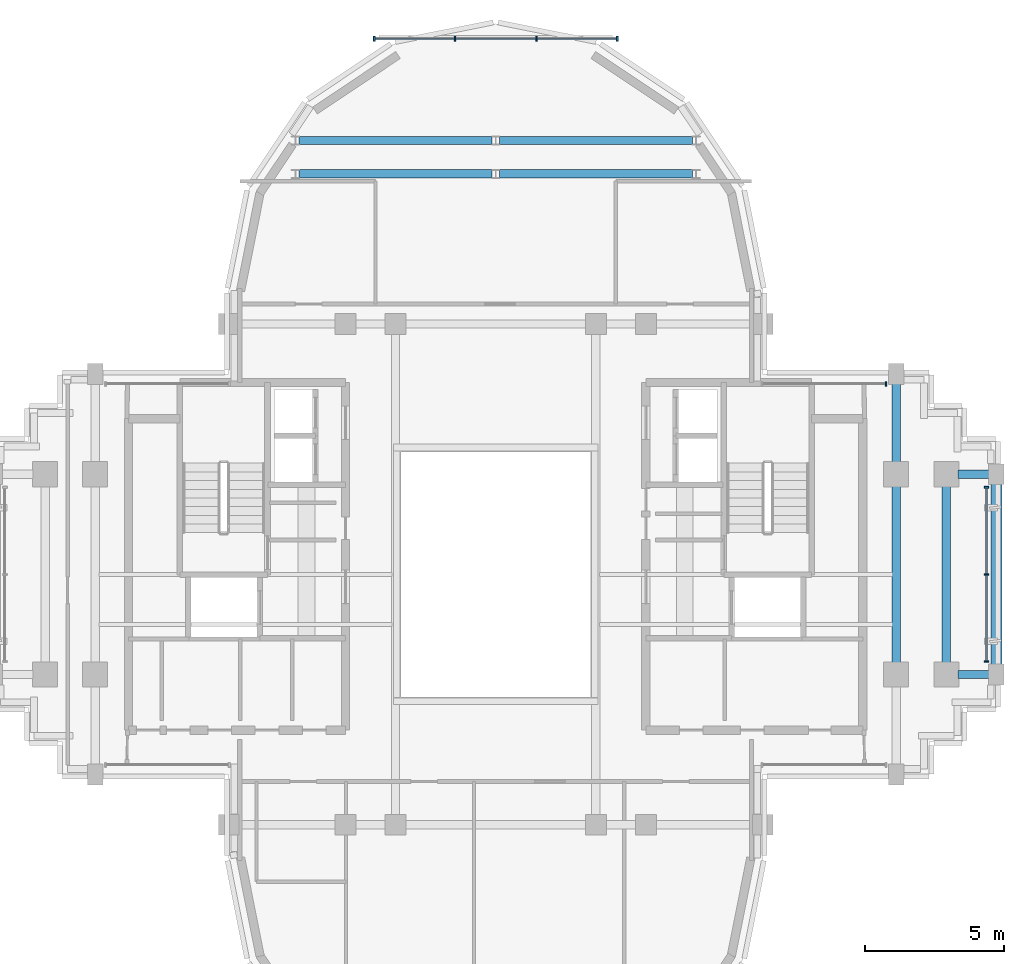
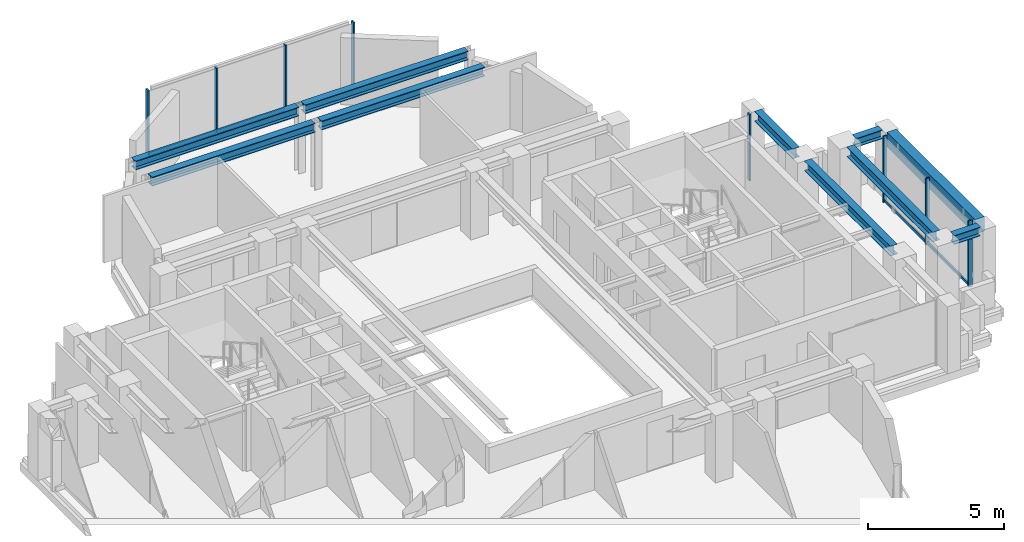
# One storey, part 6 of 12: 13 members, 10 beams, 3 elements without a shape of their own.
"""IFC4 building model written with IfcOpenShell, lengths in metres."""

from ifc_helpers import new_model, si_unit, direction, frame, origin, origin_2d, place, context, subcontext, project, spatial, rectangle, i_section, extrude, source, transform, mapped, material, material_profile, profile_set, type_object, element, aggregate, save


model = new_model("IFC4")

# Units and contexts
model_context = context("Model", 3, precision=1e-05, world=origin(), true_north=direction((0.0, 1.0)))
body_context = subcontext(model_context, "Body", "Model", "MODEL_VIEW")
ifc_project = project(units=[si_unit("LENGTHUNIT", "METRE"), si_unit("AREAUNIT", "SQUARE_METRE"), si_unit("VOLUMEUNIT", "CUBIC_METRE"), si_unit("PLANEANGLEUNIT", "RADIAN"), si_unit("MASSUNIT", "GRAM", prefix="KILO")], contexts=[model_context])

# Site, building, storey
site_placement = place(None, origin())
site = spatial("IfcSite", under=ifc_project, at=site_placement, CompositionType="ELEMENT")
building_placement = place(site_placement, origin())
building = spatial("IfcBuilding", under=site, at=building_placement, Name="Keilestroom Media Tower", CompositionType="ELEMENT")
storey_placement = place(building_placement, frame((0.0, 0.0, 226.800048828125)))
storey = spatial("IfcBuildingStorey", under=building, at=storey_placement, Name="L62", CompositionType="ELEMENT", Elevation=226.800048828125)

# Beams
ifc_material_1 = material(Name="Steel S355", Category="steel")
ifc_material_profile_1 = material_profile(ifc_material_1, i_section(OverallWidth=0.300048828125, OverallDepth=0.39990234375, WebThickness=0.011474609375, FlangeThickness=0.02392578125, at=origin_2d()), Name="HEB 400")
ifc_profile_set_1 = profile_set([ifc_material_profile_1], Name="Steel S355")
beam_type_1 = type_object("IfcBeamType", Name="Primary-Structural-Girder-HEB-400", PredefinedType="BEAM", material=ifc_profile_set_1)
shared_shape_1 = source(origin(), body_context, "Body", "SweptSolid", [
    extrude(i_section(OverallWidth=0.300048828125, OverallDepth=0.39990234375, WebThickness=0.011474609375, FlangeThickness=0.02392578125, at=origin_2d()), origin(), (0.0, 0.0, 1.0), 6.940185546875),
])
for number, where, z_axis, x_axis, name in (
    (1, (-7.070068359375, 14.39990234375, 2.81005859375), (1.0, 0.0, 0.0), (0.0, 1.0, 0.0), "L62 Beam BG-8 BM-L62-EW-021"),
    (2, (0.1298828125, 14.39990234375, 2.81005859375), (1.0, 0.0, 0.0), (0.0, 1.0, 0.0), "L62 Beam BG-8 BM-L62-EW-022"),
    (3, (-7.070068359375, 15.60009765625, 2.81005859375), (1.0, 0.0, 0.0), (0.0, 1.0, 0.0), "L62 Beam BG-8 BM-L62-EW-023"),
    (4, (0.1298828125, 15.60009765625, 2.81005859375), (1.0, 0.0, 0.0), (0.0, 1.0, 0.0), "L62 Beam BG-8 BM-L62-EW-024"),
):
    element("IfcBeam", number, at=place(storey_placement, frame(where, z_axis=z_axis, x_axis=x_axis)), inside=storey, type_object=beam_type_1, Name=name, PredefinedType="BEAM", context=body_context, shape_type="MappedRepresentation", body=[
        mapped(shared_shape_1, transform((0.0, 0.0, 0.0), x_axis=(1.0, 0.0, 0.0), y_axis=(0.0, 1.0, 0.0), z_axis=(0.0, 0.0, 1.0), scale=1.0)),
    ])
shared_shape_2 = source(origin(), body_context, "Body", "SweptSolid", [
    extrude(i_section(OverallWidth=0.300048828125, OverallDepth=0.39990234375, WebThickness=0.011474609375, FlangeThickness=0.02392578125, at=origin_2d()), origin(), (0.0, 0.0, 1.0), 1.115234375),
])
for number, where, z_axis, x_axis, name in (
    (5, (16.6298828125, -3.60009765625, 2.81005859375), (1.0, 0.0, 0.0), (0.0, 1.0, 0.0), "L62 Beam BG-8 BM-L62-EW-011"),
    (6, (16.6298828125, 3.60009765625, 2.81005859375), (1.0, 0.0, 0.0), (0.0, 1.0, 0.0), "L62 Beam BG-8 BM-L62-EW-015"),
):
    element("IfcBeam", number, at=place(storey_placement, frame(where, z_axis=z_axis, x_axis=x_axis)), inside=storey, type_object=beam_type_1, Name=name, PredefinedType="BEAM", context=body_context, shape_type="MappedRepresentation", body=[
        mapped(shared_shape_2, transform((0.0, 0.0, 0.0), x_axis=(1.0, 0.0, 0.0), y_axis=(0.0, 1.0, 0.0), z_axis=(0.0, 0.0, 1.0), scale=1.0)),
    ])
ifc_material_2 = material(Name="Precast concrete C40/50", Category="concrete")
ifc_material_profile_2 = material_profile(ifc_material_2, rectangle(XDim=0.39990234375, YDim=0.64990234375, at=origin_2d()), Name="PC 400x650")
ifc_profile_set_2 = profile_set([ifc_material_profile_2], Name="Precast concrete C40/50")
beam_type_2 = type_object("IfcBeamType", Name="Perimeter-Spandrel-Beam-PC-400x650", PredefinedType="SPANDREL", material=ifc_profile_set_2)
shared_shape_3 = source(origin(), body_context, "Body", "SweptSolid", [
    extrude(rectangle(XDim=0.39990234375, YDim=0.64990234375, at=origin_2d()), origin(), (0.0, 0.0, 1.0), 6.490234375),
])
beam_1_placement = place(storey_placement, frame((18.0, -3.2451171875, 2.68505859375), z_axis=(0.0, 1.0, 0.0), x_axis=(-1.0, 0.0, 0.0)))
element("IfcBeam", 7, at=beam_1_placement, inside=storey, type_object=beam_type_2, Name="L62 Beam SPB-2 BM-L62-NS-044", PredefinedType="SPANDREL", context=body_context, shape_type="MappedRepresentation", body=[
    mapped(shared_shape_3, transform((0.0, 0.0, 0.0), x_axis=(1.0, 0.0, 0.0), y_axis=(0.0, 1.0, 0.0), z_axis=(0.0, 0.0, 1.0), scale=1.0)),
])
ifc_material_profile_3 = material_profile(ifc_material_1, i_section(OverallWidth=0.300048828125, OverallDepth=0.43994140625, WebThickness=0.011474609375, FlangeThickness=0.02099609375, at=origin_2d()), Name="HEA 450")
ifc_profile_set_3 = profile_set([ifc_material_profile_3], Name="Steel S355")
beam_type_3 = type_object("IfcBeamType", Name="Primary-Structural-Girder-HEA-450", PredefinedType="BEAM", material=ifc_profile_set_3)
shared_shape_4 = source(origin(), body_context, "Body", "SweptSolid", [
    extrude(i_section(OverallWidth=0.300048828125, OverallDepth=0.43994140625, WebThickness=0.011474609375, FlangeThickness=0.02099609375, at=origin_2d()), origin(), (0.0, 0.0, 1.0), 6.33984375),
])
for number, where, z_axis, x_axis, name in (
    (8, (14.39990234375, -3.169921875, 2.7900390625), (0.0, 1.0, 0.0), (-1.0, 0.0, 0.0), "L62 Beam BG-11 BM-L62-NS-041"),
    (9, (16.199951171875, -3.169921875, 2.7900390625), (0.0, 1.0, 0.0), (-1.0, 0.0, 0.0), "L62 Beam BG-11 BM-L62-NS-043"),
):
    element("IfcBeam", number, at=place(storey_placement, frame(where, z_axis=z_axis, x_axis=x_axis)), inside=storey, type_object=beam_type_3, Name=name, PredefinedType="BEAM", context=body_context, shape_type="MappedRepresentation", body=[
        mapped(shared_shape_4, transform((0.0, 0.0, 0.0), x_axis=(1.0, 0.0, 0.0), y_axis=(0.0, 1.0, 0.0), z_axis=(0.0, 0.0, 1.0), scale=1.0)),
    ])
shared_shape_5 = source(origin(), body_context, "Body", "SweptSolid", [
    extrude(i_section(OverallWidth=0.300048828125, OverallDepth=0.43994140625, WebThickness=0.011474609375, FlangeThickness=0.02099609375, at=origin_2d()), origin(), (0.0, 0.0, 1.0), 2.81494140625),
])
beam_2_placement = place(storey_placement, frame((14.39990234375, 4.030029296875, 2.7900390625), z_axis=(0.0, 1.0, 0.0), x_axis=(-1.0, 0.0, 0.0)))
element("IfcBeam", 10, at=beam_2_placement, inside=storey, type_object=beam_type_3, Name="L62 Beam BG-11 BM-L62-NS-042", PredefinedType="BEAM", context=body_context, shape_type="MappedRepresentation", body=[
    mapped(shared_shape_5, transform((0.0, 0.0, 0.0), x_axis=(1.0, 0.0, 0.0), y_axis=(0.0, 1.0, 0.0), z_axis=(0.0, 0.0, 1.0), scale=1.0)),
])

# Curtain wall, members
ifc_material_3 = material(Name="Anodised Aluminium Alloy", Category="aluminium")
curtain_wall_type_1 = type_object("IfcCurtainWallType", Name="Unitised-Curtain-Wall-CW-6", PredefinedType="NOTDEFINED", material=ifc_material_3)
curtain_wall_1_placement = place(storey_placement, origin())
curtain_wall_1 = element("IfcCurtainWall", 11, at=curtain_wall_1_placement, inside=storey, type_object=curtain_wall_type_1, Name="L62 Curtain Wall CW-6 CW-L62-LN-1", PredefinedType="NOTDEFINED")
ifc_material_profile_4 = material_profile(ifc_material_3, rectangle(XDim=0.06494140625, YDim=0.179931640625, at=origin_2d()), Name="ALU MULLION 65x180")
ifc_profile_set_4 = profile_set([ifc_material_profile_4], Name="Anodised Aluminium Alloy")
member_type_1 = type_object("IfcMemberType", Name="Curtain-Wall-Mullion-CW-6", PredefinedType="MULLION", material=ifc_profile_set_4)
shared_shape_6 = source(origin(), body_context, "Body", "SweptSolid", [
    extrude(rectangle(XDim=0.06494140625, YDim=0.179931640625, at=origin_2d()), origin(), (0.0, 0.0, 1.0), 2.97998046875),
])
member_1_placement = place(storey_placement, frame((-4.367431640625, 19.25, 0.0), z_axis=(0.0, 0.0, 1.0), x_axis=(1.0, 0.0, 0.0)))
member_1 = element("IfcMember", 12, at=member_1_placement, type_object=member_type_1, Name="CW-6 Mullion 00", PredefinedType="MULLION", context=body_context, shape_type="MappedRepresentation", body=[
    mapped(shared_shape_6, transform((0.0, 0.0, 0.0), x_axis=(1.0, 0.0, 0.0), y_axis=(0.0, 1.0, 0.0), z_axis=(0.0, 0.0, 1.0), scale=1.0)),
])
member_2_placement = place(storey_placement, frame((-1.466796875, 19.25, 0.0), z_axis=(0.0, 0.0, 1.0), x_axis=(1.0, 0.0, 0.0)))
member_2 = element("IfcMember", 13, at=member_2_placement, type_object=member_type_1, Name="CW-6 Mullion 01", PredefinedType="MULLION", context=body_context, shape_type="MappedRepresentation", body=[
    mapped(shared_shape_6, transform((0.0, 0.0, 0.0), x_axis=(1.0, 0.0, 0.0), y_axis=(0.0, 1.0, 0.0), z_axis=(0.0, 0.0, 1.0), scale=1.0)),
])
member_3_placement = place(storey_placement, frame((1.466796875, 19.25, 0.0), z_axis=(0.0, 0.0, 1.0), x_axis=(1.0, 0.0, 0.0)))
member_3 = element("IfcMember", 14, at=member_3_placement, type_object=member_type_1, Name="CW-6 Mullion 02", PredefinedType="MULLION", context=body_context, shape_type="MappedRepresentation", body=[
    mapped(shared_shape_6, transform((0.0, 0.0, 0.0), x_axis=(1.0, 0.0, 0.0), y_axis=(0.0, 1.0, 0.0), z_axis=(0.0, 0.0, 1.0), scale=1.0)),
])
member_4_placement = place(storey_placement, frame((4.367431640625, 19.25, 0.0), z_axis=(0.0, 0.0, 1.0), x_axis=(1.0, 0.0, 0.0)))
member_4 = element("IfcMember", 15, at=member_4_placement, type_object=member_type_1, Name="CW-6 Mullion 03", PredefinedType="MULLION", context=body_context, shape_type="MappedRepresentation", body=[
    mapped(shared_shape_6, transform((0.0, 0.0, 0.0), x_axis=(1.0, 0.0, 0.0), y_axis=(0.0, 1.0, 0.0), z_axis=(0.0, 0.0, 1.0), scale=1.0)),
])
ifc_material_profile_5 = material_profile(ifc_material_3, rectangle(XDim=0.06494140625, YDim=0.14990234375, at=origin_2d()), Name="ALU TRANSOM 65x150")
ifc_profile_set_5 = profile_set([ifc_material_profile_5], Name="Anodised Aluminium Alloy")
member_type_2 = type_object("IfcMemberType", Name="Curtain-Wall-Transom-CW-6", PredefinedType="USERDEFINED", material=ifc_profile_set_5)
shared_shape_7 = source(origin(), body_context, "Body", "SweptSolid", [
    extrude(rectangle(XDim=0.06494140625, YDim=0.14990234375, at=origin_2d()), origin(), (0.0, 0.0, 1.0), 2.839599609375),
])
member_5_placement = place(storey_placement, frame((-4.3369140625, 19.25, 0.074951171875), z_axis=(1.0, 0.0, 0.0), x_axis=(0.0, 1.0, 0.0)))
member_5 = element("IfcMember", 16, at=member_5_placement, type_object=member_type_2, Name="CW-6 Transom 00.1", ObjectType="TRANSOM", PredefinedType="USERDEFINED", context=body_context, shape_type="MappedRepresentation", body=[
    mapped(shared_shape_7, transform((0.0, 0.0, 0.0), x_axis=(1.0, 0.0, 0.0), y_axis=(0.0, 1.0, 0.0), z_axis=(0.0, 0.0, 1.0), scale=1.0)),
])
member_6_placement = place(storey_placement, frame((1.497314453125, 19.25, 0.074951171875), z_axis=(1.0, 0.0, 0.0), x_axis=(0.0, 1.0, 0.0)))
member_6 = element("IfcMember", 17, at=member_6_placement, type_object=member_type_2, Name="CW-6 Transom 02.1", ObjectType="TRANSOM", PredefinedType="USERDEFINED", context=body_context, shape_type="MappedRepresentation", body=[
    mapped(shared_shape_7, transform((0.0, 0.0, 0.0), x_axis=(1.0, 0.0, 0.0), y_axis=(0.0, 1.0, 0.0), z_axis=(0.0, 0.0, 1.0), scale=1.0)),
])
shared_shape_8 = source(origin(), body_context, "Body", "SweptSolid", [
    extrude(rectangle(XDim=0.06494140625, YDim=0.14990234375, at=origin_2d()), origin(), (0.0, 0.0, 1.0), 2.87255859375),
])
member_7_placement = place(storey_placement, frame((-1.436279296875, 19.25, 0.074951171875), z_axis=(1.0, 0.0, 0.0), x_axis=(0.0, 1.0, 0.0)))
member_7 = element("IfcMember", 18, at=member_7_placement, type_object=member_type_2, Name="CW-6 Transom 01.1", ObjectType="TRANSOM", PredefinedType="USERDEFINED", context=body_context, shape_type="MappedRepresentation", body=[
    mapped(shared_shape_8, transform((0.0, 0.0, 0.0), x_axis=(1.0, 0.0, 0.0), y_axis=(0.0, 1.0, 0.0), z_axis=(0.0, 0.0, 1.0), scale=1.0)),
])
aggregate(curtain_wall_1, [member_1, member_2, member_3, member_4, member_5, member_7, member_6])

curtain_wall_type_2 = type_object("IfcCurtainWallType", Name="Unitised-Curtain-Wall-CW-4", PredefinedType="NOTDEFINED", material=ifc_material_3)
curtain_wall_2_placement = place(storey_placement, origin())
curtain_wall_2 = element("IfcCurtainWall", 19, at=curtain_wall_2_placement, inside=storey, type_object=curtain_wall_type_2, Name="L62 Curtain Wall CW-4 CW-L62-E-1", PredefinedType="NOTDEFINED")
ifc_material_profile_6 = material_profile(ifc_material_3, rectangle(XDim=0.06005859375, YDim=0.159912109375, at=origin_2d()), Name="ALU MULLION 60x160")
ifc_profile_set_6 = profile_set([ifc_material_profile_6], Name="Anodised Aluminium Alloy")
member_type_3 = type_object("IfcMemberType", Name="Curtain-Wall-Mullion-CW-4", PredefinedType="MULLION", material=ifc_profile_set_6)
shared_shape_9 = source(origin(), body_context, "Body", "SweptSolid", [
    extrude(rectangle(XDim=0.06005859375, YDim=0.159912109375, at=origin_2d()), origin(), (0.0, 0.0, 1.0), 2.97998046875),
])
member_8_placement = place(storey_placement, frame((17.64990234375, -3.135009765625, 0.0), z_axis=(0.0, 0.0, 1.0), x_axis=(0.0, 1.0, 0.0)))
member_8 = element("IfcMember", 20, at=member_8_placement, type_object=member_type_3, Name="CW-4 Mullion 00", PredefinedType="MULLION", context=body_context, shape_type="MappedRepresentation", body=[
    mapped(shared_shape_9, transform((0.0, 0.0, 0.0), x_axis=(1.0, 0.0, 0.0), y_axis=(0.0, 1.0, 0.0), z_axis=(0.0, 0.0, 1.0), scale=1.0)),
])
member_9_placement = place(storey_placement, frame((17.64990234375, 0.0, 0.0), z_axis=(0.0, 0.0, 1.0), x_axis=(0.0, 1.0, 0.0)))
member_9 = element("IfcMember", 21, at=member_9_placement, type_object=member_type_3, Name="CW-4 Mullion 01", PredefinedType="MULLION", context=body_context, shape_type="MappedRepresentation", body=[
    mapped(shared_shape_9, transform((0.0, 0.0, 0.0), x_axis=(1.0, 0.0, 0.0), y_axis=(0.0, 1.0, 0.0), z_axis=(0.0, 0.0, 1.0), scale=1.0)),
])
member_10_placement = place(storey_placement, frame((17.64990234375, 3.135009765625, 0.0), z_axis=(0.0, 0.0, 1.0), x_axis=(0.0, 1.0, 0.0)))
member_10 = element("IfcMember", 22, at=member_10_placement, type_object=member_type_3, Name="CW-4 Mullion 02", PredefinedType="MULLION", context=body_context, shape_type="MappedRepresentation", body=[
    mapped(shared_shape_9, transform((0.0, 0.0, 0.0), x_axis=(1.0, 0.0, 0.0), y_axis=(0.0, 1.0, 0.0), z_axis=(0.0, 0.0, 1.0), scale=1.0)),
])

# Curtain wall, member
curtain_wall_3_placement = place(storey_placement, origin())
curtain_wall_3 = element("IfcCurtainWall", 23, at=curtain_wall_3_placement, inside=storey, type_object=curtain_wall_type_2, Name="L62 Curtain Wall CW-4 CW-L62-NE-1", PredefinedType="NOTDEFINED")
member_11_placement = place(storey_placement, frame((14.034912109375, 6.85009765625, 0.0), z_axis=(0.0, 0.0, 1.0), x_axis=(1.0, 0.0, 0.0)))
member_11 = element("IfcMember", 24, at=member_11_placement, type_object=member_type_3, Name="CW-4 Mullion 01", PredefinedType="MULLION", context=body_context, shape_type="MappedRepresentation", body=[
    mapped(shared_shape_9, transform((0.0, 0.0, 0.0), x_axis=(1.0, 0.0, 0.0), y_axis=(0.0, 1.0, 0.0), z_axis=(0.0, 0.0, 1.0), scale=1.0)),
])
aggregate(curtain_wall_3, [member_11])

# Member
ifc_material_profile_7 = material_profile(ifc_material_3, rectangle(XDim=0.06005859375, YDim=0.1298828125, at=origin_2d()), Name="ALU TRANSOM 60x130")
ifc_profile_set_7 = profile_set([ifc_material_profile_7], Name="Anodised Aluminium Alloy")
member_type_4 = type_object("IfcMemberType", Name="Curtain-Wall-Transom-CW-4", PredefinedType="USERDEFINED", material=ifc_profile_set_7)
shared_shape_10 = source(origin(), body_context, "Body", "SweptSolid", [
    extrude(rectangle(XDim=0.06005859375, YDim=0.1298828125, at=origin_2d()), origin(), (0.0, 0.0, 1.0), 3.078857421875),
])
member_12_placement = place(storey_placement, frame((17.64990234375, -3.10693359375, 0.06494140625), z_axis=(0.0, 1.0, 0.0), x_axis=(-1.0, 0.0, 0.0)))
member_12 = element("IfcMember", 25, at=member_12_placement, type_object=member_type_4, Name="CW-4 Transom 00.1", ObjectType="TRANSOM", PredefinedType="USERDEFINED", context=body_context, shape_type="MappedRepresentation", body=[
    mapped(shared_shape_10, transform((0.0, 0.0, 0.0), x_axis=(1.0, 0.0, 0.0), y_axis=(0.0, 1.0, 0.0), z_axis=(0.0, 0.0, 1.0), scale=1.0)),
])

member_13_placement = place(storey_placement, frame((17.64990234375, 0.028076171875, 0.06494140625), z_axis=(0.0, 1.0, 0.0), x_axis=(-1.0, 0.0, 0.0)))
member_13 = element("IfcMember", 26, at=member_13_placement, type_object=member_type_4, Name="CW-4 Transom 01.1", ObjectType="TRANSOM", PredefinedType="USERDEFINED", context=body_context, shape_type="MappedRepresentation", body=[
    mapped(shared_shape_10, transform((0.0, 0.0, 0.0), x_axis=(1.0, 0.0, 0.0), y_axis=(0.0, 1.0, 0.0), z_axis=(0.0, 0.0, 1.0), scale=1.0)),
])

aggregate(curtain_wall_2, [member_8, member_9, member_10, member_12, member_13])

save(model, "model.ifc")
